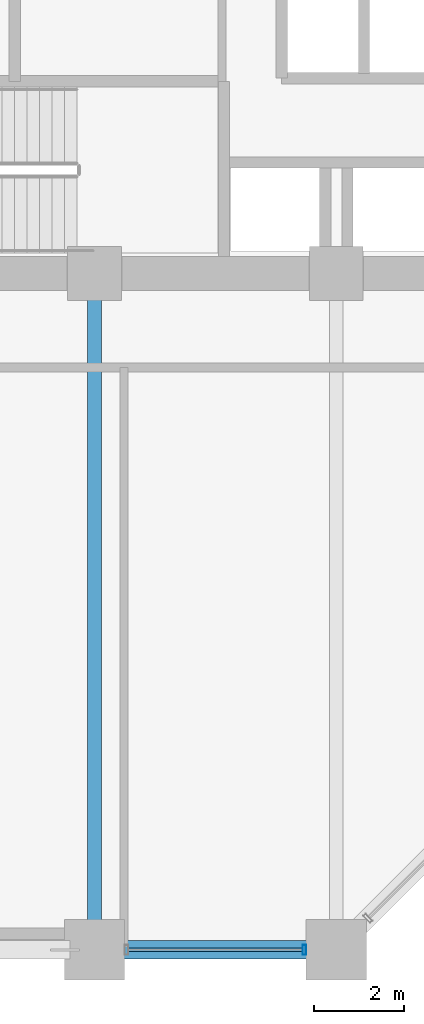
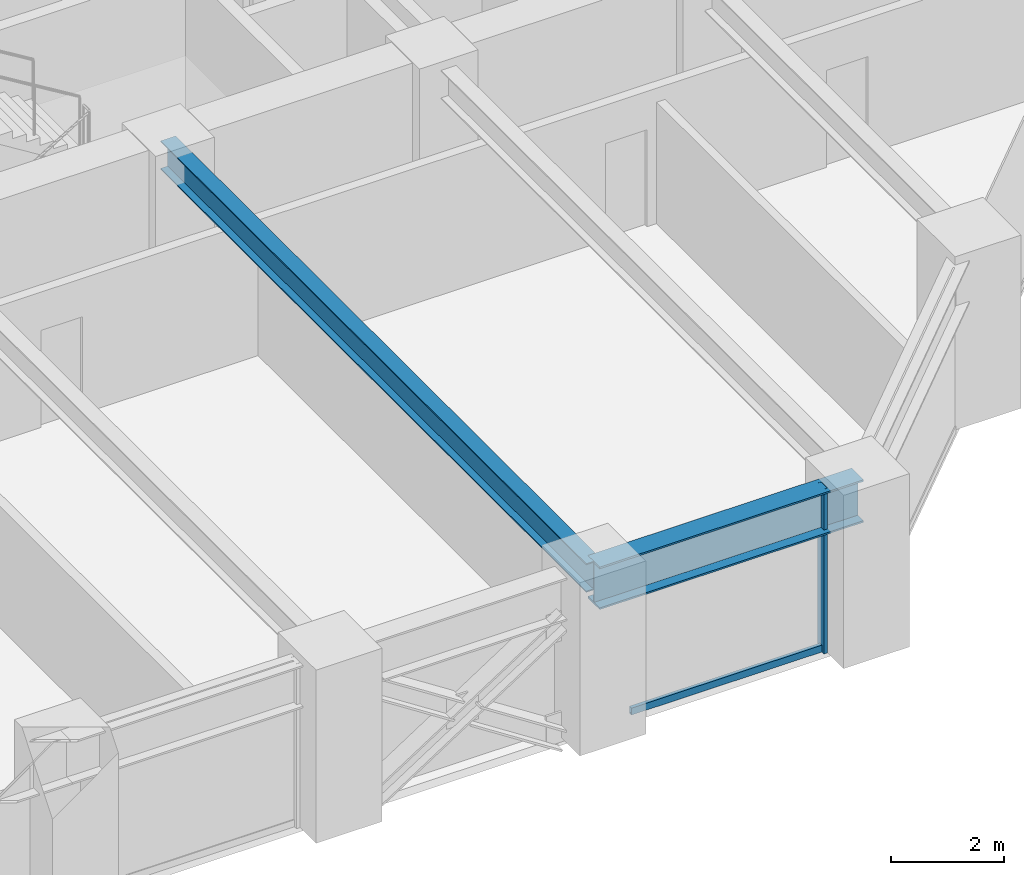
# One storey, part 5 of 24: 2 beams, 2 members, 1 element without a shape of its own.
"""IFC4 building model written with IfcOpenShell, lengths in metres."""

from ifc_helpers import new_model, si_unit, direction, frame, origin, origin_2d, place, context, subcontext, project, spatial, hollow_rectangle, i_section, extrude, material, layer, layer_set, material_profile, profile_set, type_object, element, aggregate, save


model = new_model("IFC4")

# Units and contexts
model_context = context("Model", 3, precision=1e-05, world=origin(), true_north=direction((0.0, 1.0)))
body_context = subcontext(model_context, "Body", "Model", "MODEL_VIEW")
ifc_project = project(units=[si_unit("LENGTHUNIT", "METRE"), si_unit("AREAUNIT", "SQUARE_METRE"), si_unit("VOLUMEUNIT", "CUBIC_METRE"), si_unit("PLANEANGLEUNIT", "RADIAN"), si_unit("MASSUNIT", "GRAM", prefix="KILO")], contexts=[model_context])

# Site, building, storey
site_placement = place(None, origin())
site = spatial("IfcSite", under=ifc_project, at=site_placement, CompositionType="ELEMENT")
building_placement = place(site_placement, origin())
building = spatial("IfcBuilding", under=site, at=building_placement, Name="Surkhivell Harbour Commons", CompositionType="ELEMENT")
storey_placement = place(building_placement, frame((0.0, 0.0, 30.0)))
storey = spatial("IfcBuildingStorey", under=building, at=storey_placement, Name="L07", CompositionType="ELEMENT", Elevation=30.0)

# Beams
ifc_material_1 = material(Name="Steel S355", Category="steel")
ifc_material_profile_1 = material_profile(ifc_material_1, i_section(OverallWidth=0.306884765625, OverallDepth=0.6201171875, WebThickness=0.01416015625, FlangeThickness=0.023681640625, at=origin_2d()), Name="UB610x305x179")
ifc_profile_set_1 = profile_set([ifc_material_profile_1], Name="Steel S355")
beam_type_1 = type_object("IfcBeamType", Name="BM-GRD-610A", PredefinedType="BEAM", material=ifc_profile_set_1)
beam_1_placement = place(storey_placement, frame((-5.39990234375, -25.89990234375, 3.260009765625), z_axis=(0.0, 1.0, 0.0), x_axis=(-1.0, 0.0, 0.0)))
element("IfcBeam", 1, at=beam_1_placement, inside=storey, type_object=beam_type_1, Name="L07 Floor Girder (-5.4,-25.9)", PredefinedType="BEAM", context=body_context, shape_type="SweptSolid", body=[
    extrude(i_section(OverallWidth=0.306884765625, OverallDepth=0.6201171875, WebThickness=0.01416015625, FlangeThickness=0.023681640625, at=origin_2d()), origin(), (0.0, 0.0, 1.0), 15.099853515625),
])
ifc_material_2 = material(Name="Steel S460", Category="steel")
ifc_material_profile_2 = material_profile(ifc_material_2, i_section(OverallWidth=0.419921875, OverallDepth=0.9208984375, WebThickness=0.021484375, FlangeThickness=0.03662109375, at=origin_2d()), Name="UB914x419x388")
ifc_profile_set_2 = profile_set([ifc_material_profile_2], Name="Steel S460")
beam_type_2 = type_object("IfcBeamType", Name="BM-SPN-914A", PredefinedType="SPANDREL", material=ifc_profile_set_2)
beam_2_placement = place(storey_placement, frame((-5.39990234375, -25.89990234375, 3.109619140625), z_axis=(1.0, 0.0, 0.0), x_axis=(0.0, 1.0, 0.0)))
element("IfcBeam", 2, at=beam_2_placement, inside=storey, type_object=beam_type_2, Name="L07 Tube Spandrel (-5.4,-25.9)", PredefinedType="SPANDREL", context=body_context, shape_type="SweptSolid", body=[
    extrude(i_section(OverallWidth=0.419921875, OverallDepth=0.9208984375, WebThickness=0.021484375, FlangeThickness=0.03662109375, at=origin_2d()), origin(), (0.0, 0.0, 1.0), 5.39990234375),
])

# Curtain wall, members
ifc_material_3 = material(Name="Anodised pale-metal aluminium and insulated glazing", Category="aluminium")
ifc_layer = layer(ifc_material_3, 0.219970703125)
ifc_layer_set = layer_set([ifc_layer], Name="Anodised pale-metal aluminium and insulated glazing")
curtain_wall_type = type_object("IfcCurtainWallType", Name="CW-SYS-Z1", PredefinedType="NOTDEFINED", material=ifc_layer_set)
curtain_wall_placement = place(storey_placement, origin())
curtain_wall = element("IfcCurtainWall", 3, at=curtain_wall_placement, inside=storey, type_object=curtain_wall_type, Name="L07 Curtain Wall CW-L07-E00S2", PredefinedType="NOTDEFINED")
ifc_material_4 = material(Name="Anodised pale-metal aluminium alloy 6063-T6", Category="aluminium")
ifc_material_profile_3 = material_profile(ifc_material_4, hollow_rectangle(XDim=0.074951171875, YDim=0.219970703125, WallThickness=0.00390625, at=origin_2d()), Name="ALU-MULL-75x220")
ifc_profile_set_3 = profile_set([ifc_material_profile_3], Name="Anodised pale-metal aluminium alloy 6063-T6")
member_type_1 = type_object("IfcMemberType", Name="CWM-220", PredefinedType="MULLION", material=ifc_profile_set_3)
member_1_placement = place(storey_placement, frame((-0.714599609375, -25.89990234375, 0.0), z_axis=(0.0, 0.0, 1.0), x_axis=(1.0, 0.0, 0.0)))
member_1 = element("IfcMember", 4, at=member_1_placement, type_object=member_type_1, Name="CW-Z1 mullion 2", PredefinedType="MULLION", context=body_context, shape_type="SweptSolid", body=[
    extrude(hollow_rectangle(XDim=0.074951171875, YDim=0.219970703125, WallThickness=0.00390625, at=origin_2d()), origin(), (0.0, 0.0, 1.0), 3.570068359375),
])
ifc_material_profile_4 = material_profile(ifc_material_4, hollow_rectangle(XDim=0.074951171875, YDim=0.14990234375, WallThickness=0.00341796875, at=origin_2d()), Name="ALU-TRAN-75x150")
ifc_profile_set_4 = profile_set([ifc_material_profile_4], Name="Anodised pale-metal aluminium alloy 6063-T6")
member_type_2 = type_object("IfcMemberType", Name="CWT-150", PredefinedType="USERDEFINED", material=ifc_profile_set_4)
member_2_placement = place(storey_placement, frame((-4.64794921875, -25.89990234375, 0.074951171875), z_axis=(1.0, 0.0, 0.0), x_axis=(0.0, 1.0, 0.0)))
member_2 = element("IfcMember", 5, at=member_2_placement, type_object=member_type_2, Name="CW-Z1 transom 1.1", ObjectType="TRANSOM", PredefinedType="USERDEFINED", context=body_context, shape_type="SweptSolid", body=[
    extrude(hollow_rectangle(XDim=0.074951171875, YDim=0.14990234375, WallThickness=0.00341796875, at=origin_2d()), origin(), (0.0, 0.0, 1.0), 3.89599609375),
])
aggregate(curtain_wall, [member_1, member_2])

save(model, "model.ifc")
